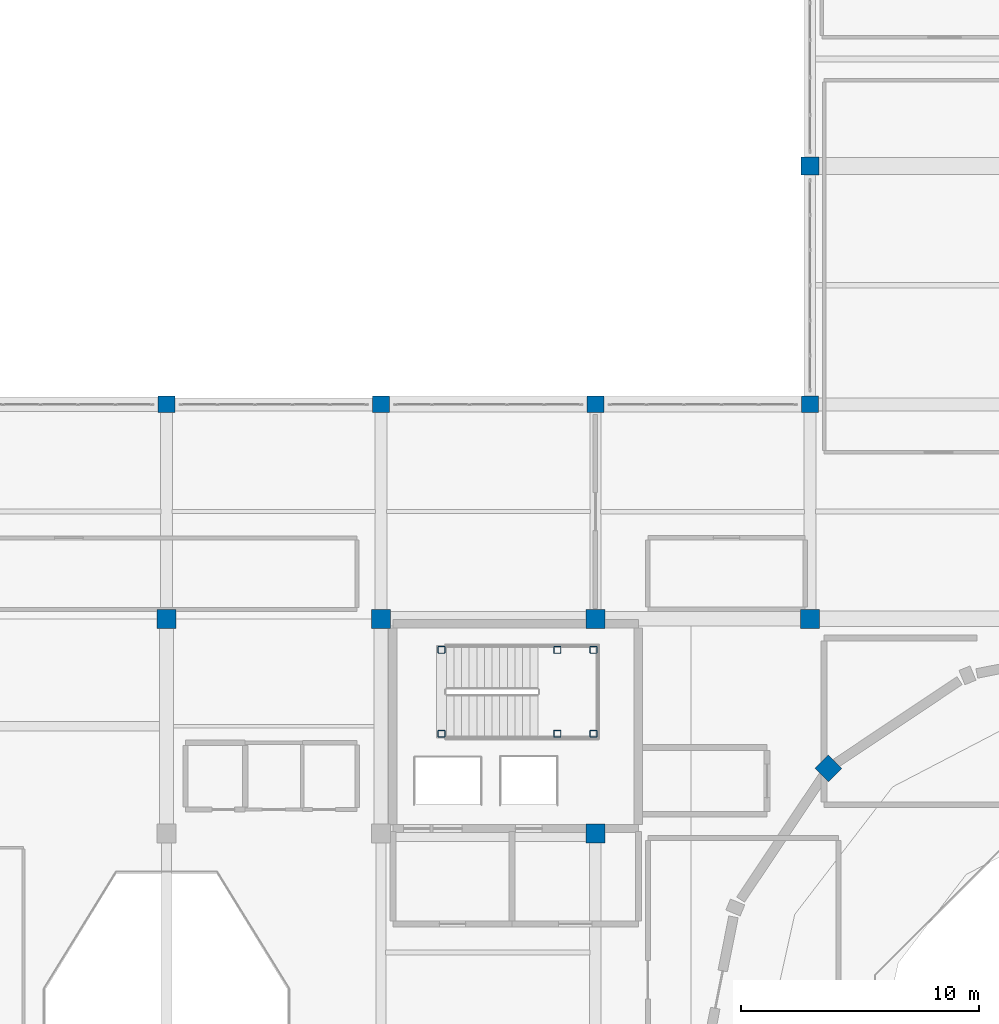
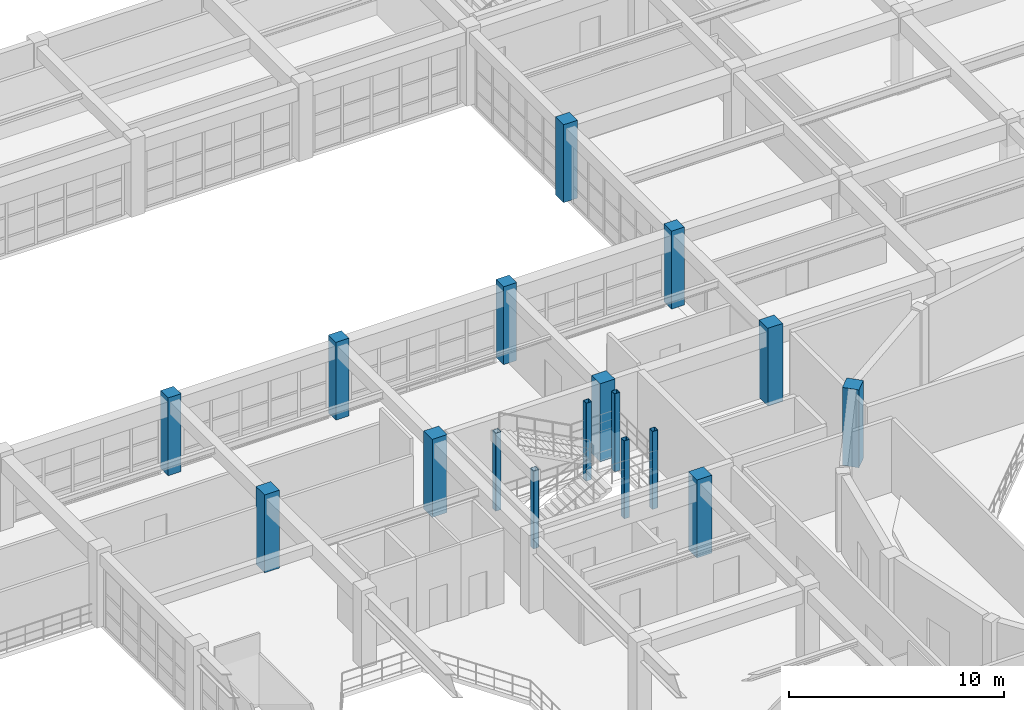
# One storey, part 9 of 133: 17 columns.
"""IFC4 building model written with IfcOpenShell, lengths in metres."""

from ifc_helpers import new_model, si_unit, direction, frame, origin, origin_2d, place, context, subcontext, project, spatial, rectangle, hollow_rectangle, extrude, material, material_profile, profile_set, type_object, element, save


model = new_model("IFC4")

# Units and contexts
model_context = context("Model", 3, precision=1e-05, world=origin(), true_north=direction((0.0, 1.0)))
body_context = subcontext(model_context, "Body", "Model", "MODEL_VIEW")
ifc_project = project(units=[si_unit("LENGTHUNIT", "METRE"), si_unit("AREAUNIT", "SQUARE_METRE"), si_unit("VOLUMEUNIT", "CUBIC_METRE"), si_unit("PLANEANGLEUNIT", "RADIAN"), si_unit("MASSUNIT", "GRAM", prefix="KILO")], contexts=[model_context])

# Site, building, storey
site_placement = place(None, origin())
site = spatial("IfcSite", under=ifc_project, at=site_placement, CompositionType="ELEMENT")
building_placement = place(site_placement, origin())
building = spatial("IfcBuilding", under=site, at=building_placement, Name="Miravela Opera House", CompositionType="ELEMENT")
storey_placement = place(building_placement, frame((0.0, 0.0, 5.10009765625)))
storey = spatial("IfcBuildingStorey", under=building, at=storey_placement, Name="L01", CompositionType="ELEMENT", Elevation=5.10009765625)

# Columns
ifc_material_1 = material(Name="Hollow structural steel ASTM A500 Gr. C", Category="steel")
ifc_material_profile_1 = material_profile(ifc_material_1, hollow_rectangle(XDim=0.300048828125, YDim=0.300048828125, WallThickness=0.01611328125, InnerFilletRadius=0.01611328125, OuterFilletRadius=0.031982421875, at=origin_2d()), Name="HSS300X300X16")
ifc_profile_set_1 = profile_set([ifc_material_profile_1])
column_type_1 = type_object("IfcColumnType", Name="STR-COL-HSS300", PredefinedType="COLUMN", material=ifc_profile_set_1)
for number, where, z_axis, x_axis, name in (
    (1, (47.5400390625, 70.179931640625, 0.0), (0.0, 0.0, 1.0), (1.0, 0.0, 0.0), "Stair K1 Landing Support Column 1 (L01)"),
    (2, (47.5400390625, 73.699951171875, 0.0), (0.0, 0.0, 1.0), (1.0, 0.0, 0.0), "Stair K1 Landing Support Column 2 (L01)"),
    (3, (52.39990234375, 70.179931640625, 0.0), (0.0, 0.0, 1.0), (1.0, 0.0, 0.0), "Stair K1 Landing Support Column 3 (L01)"),
    (4, (52.39990234375, 73.699951171875, 0.0), (0.0, 0.0, 1.0), (1.0, 0.0, 0.0), "Stair K1 Landing Support Column 4 (L01)"),
    (5, (53.919921875, 70.179931640625, 0.0), (0.0, 0.0, 1.0), (1.0, 0.0, 0.0), "Stair K1 Landing Support Column 5 (L01)"),
    (6, (53.919921875, 73.699951171875, 0.0), (0.0, 0.0, 1.0), (1.0, 0.0, 0.0), "Stair K1 Landing Support Column 6 (L01)"),
):
    element("IfcColumn", number, at=place(storey_placement, frame(where, z_axis=z_axis, x_axis=x_axis)), inside=storey, type_object=column_type_1, Name=name, PredefinedType="COLUMN", context=body_context, shape_type="SweptSolid", body=[
        extrude(hollow_rectangle(XDim=0.300048828125, YDim=0.300048828125, WallThickness=0.01611328125, InnerFilletRadius=0.01611328125, OuterFilletRadius=0.031982421875, at=origin_2d()), origin(), (0.0, 0.0, 1.0), 4.419921875),
    ])
ifc_material_2 = material(Name="Concrete C35/45", Category="concrete")
ifc_material_profile_2 = material_profile(ifc_material_2, rectangle(XDim=0.699951171875, YDim=0.699951171875, at=origin_2d()), Name="RC-COL-700X700")
ifc_profile_set_2 = profile_set([ifc_material_profile_2])
column_type_2 = type_object("IfcColumnType", Name="STR-COL-RC700", PredefinedType="COLUMN", material=ifc_profile_set_2)
for number, where, z_axis, x_axis, name in (
    (7, (36.0, 84.0, 0.0), (0.0, 0.0, 1.0), (1.0, 0.0, 0.0), "Column C-5J (L01)"),
    (8, (45.0, 84.0, 0.0), (0.0, 0.0, 1.0), (1.0, 0.0, 0.0), "Column C-6J (L01)"),
    (9, (54.0, 84.0, 0.0), (0.0, 0.0, 1.0), (1.0, 0.0, 0.0), "Column C-7J (L01)"),
    (10, (63.0, 84.0, 0.0), (0.0, 0.0, 1.0), (1.0, 0.0, 0.0), "Column C-8J (L01)"),
):
    element("IfcColumn", number, at=place(storey_placement, frame(where, z_axis=z_axis, x_axis=x_axis)), inside=storey, type_object=column_type_2, Name=name, PredefinedType="COLUMN", context=body_context, shape_type="SweptSolid", body=[
        extrude(rectangle(XDim=0.699951171875, YDim=0.699951171875, at=origin_2d()), origin(), (0.0, 0.0, 1.0), 4.419921875),
    ])
ifc_material_profile_3 = material_profile(ifc_material_2, rectangle(XDim=0.75, YDim=0.75, at=origin_2d()), Name="RC-COL-750X750")
ifc_profile_set_3 = profile_set([ifc_material_profile_3])
column_type_3 = type_object("IfcColumnType", Name="STR-COL-RC750", PredefinedType="COLUMN", material=ifc_profile_set_3)
column_1_placement = place(storey_placement, frame((63.0, 94.0, 0.0), z_axis=(0.0, 0.0, 1.0), x_axis=(1.0, 0.0, 0.0)))
element("IfcColumn", 11, at=column_1_placement, inside=storey, type_object=column_type_3, Name="Column C-8K (L01)", PredefinedType="COLUMN", context=body_context, shape_type="SweptSolid", body=[
    extrude(rectangle(XDim=0.75, YDim=0.75, at=origin_2d()), origin(), (0.0, 0.0, 1.0), 4.419921875),
])
ifc_material_3 = material(Name="Concrete C40/50", Category="concrete")
ifc_material_profile_4 = material_profile(ifc_material_3, rectangle(XDim=0.800048828125, YDim=0.800048828125, at=origin_2d()), Name="RC-COL-800X800")
ifc_profile_set_4 = profile_set([ifc_material_profile_4])
column_type_4 = type_object("IfcColumnType", Name="STR-COL-RC800", PredefinedType="COLUMN", material=ifc_profile_set_4)
for number, where, z_axis, x_axis, name in (
    (12, (36.0, 75.0, 0.0), (0.0, 0.0, 1.0), (1.0, 0.0, 0.0), "Column C-5I (L01)"),
    (13, (45.0, 75.0, 0.0), (0.0, 0.0, 1.0), (1.0, 0.0, 0.0), "Column C-6I (L01)"),
    (14, (54.0, 66.0, 0.0), (0.0, 0.0, 1.0), (1.0, 0.0, 0.0), "Column C-7H (L01)"),
    (15, (54.0, 75.0, 0.0), (0.0, 0.0, 1.0), (1.0, 0.0, 0.0), "Column C-7I (L01)"),
    (16, (63.0, 75.0, 0.0), (0.0, 0.0, 1.0), (1.0, 0.0, 0.0), "Column C-8I (L01)"),
):
    element("IfcColumn", number, at=place(storey_placement, frame(where, z_axis=z_axis, x_axis=x_axis)), inside=storey, type_object=column_type_4, Name=name, PredefinedType="COLUMN", context=body_context, shape_type="SweptSolid", body=[
        extrude(rectangle(XDim=0.800048828125, YDim=0.800048828125, at=origin_2d()), origin(), (0.0, 0.0, 1.0), 4.419921875),
    ])
ifc_material_profile_5 = material_profile(ifc_material_3, rectangle(XDim=0.800048828125, YDim=0.800048828125, at=origin_2d()), Name="RC-COL-800X800")
ifc_profile_set_5 = profile_set([ifc_material_profile_5])
column_type_5 = type_object("IfcColumnType", Name="STR-PIL-RC800", PredefinedType="PILASTER", material=ifc_profile_set_5)
column_2_placement = place(storey_placement, frame((63.772216796875, 68.727783203125, 0.0), z_axis=(0.0, 0.0, 1.0), x_axis=(-0.707106781187, 0.707106781187, 0.0)))
element("IfcColumn", 17, at=column_2_placement, inside=storey, type_object=column_type_5, Name="Auditorium Drum Column DC-07 (L01)", PredefinedType="PILASTER", context=body_context, shape_type="SweptSolid", body=[
    extrude(rectangle(XDim=0.800048828125, YDim=0.800048828125, at=origin_2d()), origin(), (0.0, 0.0, 1.0), 4.419921875),
])

save(model, "model.ifc")
